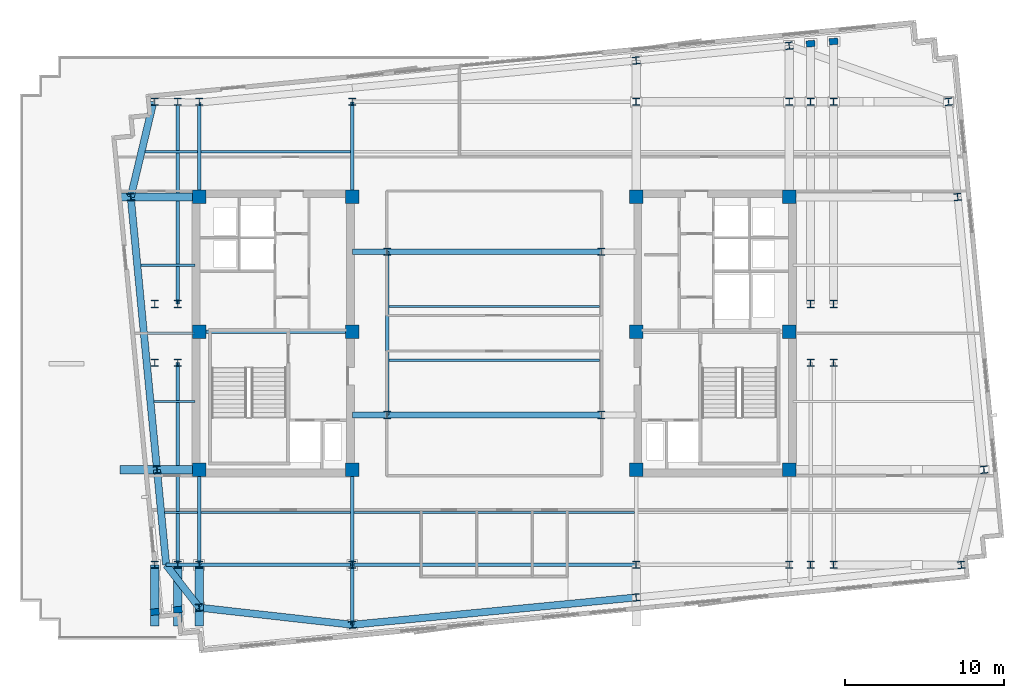
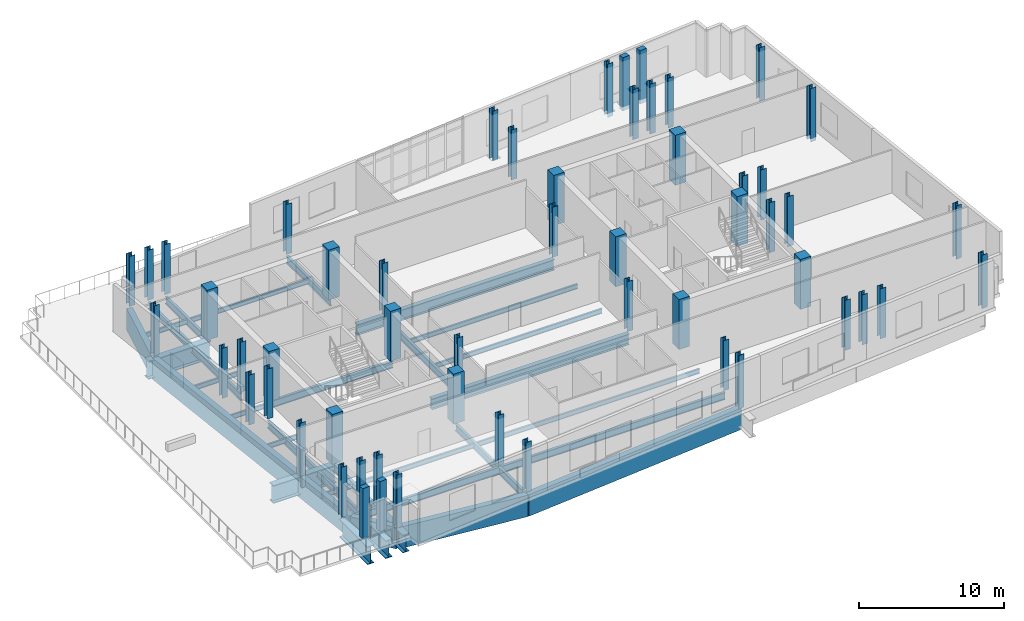
# One storey, part 1 of 11: 55 columns, 37 beams.
"""IFC4 building model written with IfcOpenShell, lengths in metres."""

from ifc_helpers import new_model, si_unit, direction, frame, origin, origin_2d, place, context, subcontext, project, spatial, rectangle, i_section, extrude, material, material_profile, profile_set, type_object, element, save


model = new_model("IFC4")

# Units and contexts
model_context = context("Model", 3, precision=1e-05, world=origin(), true_north=direction((0.0, 1.0)))
body_context = subcontext(model_context, "Body", "Model", "MODEL_VIEW")
ifc_project = project(units=[si_unit("LENGTHUNIT", "METRE"), si_unit("AREAUNIT", "SQUARE_METRE"), si_unit("VOLUMEUNIT", "CUBIC_METRE"), si_unit("PLANEANGLEUNIT", "RADIAN"), si_unit("MASSUNIT", "GRAM", prefix="KILO")], contexts=[model_context])

# Site, building, storey
site_placement = place(None, origin())
site = spatial("IfcSite", under=ifc_project, at=site_placement, CompositionType="ELEMENT")
building_placement = place(site_placement, origin())
building = spatial("IfcBuilding", under=site, at=building_placement, Name="Velakula Bourse", CompositionType="ELEMENT")
storey_placement = place(building_placement, frame((0.0, 0.0, 247.5)))
storey = spatial("IfcBuildingStorey", under=building, at=storey_placement, Name="L67", CompositionType="ELEMENT", Elevation=247.5)

# Columns
ifc_material_1 = material(Name="Concrete M50 (fck 50 MPa)", Category="concrete")
ifc_material_profile_1 = material_profile(ifc_material_1, rectangle(XDim=0.85009765625, YDim=0.85009765625, at=origin_2d()), Name="Concrete M50 (fck 50 MPa)")
ifc_profile_set_1 = profile_set([ifc_material_profile_1], Name="Concrete M50 (fck 50 MPa)")
column_type_1 = type_object("IfcColumnType", Name="COL-RC-850", PredefinedType="COLUMN", material=ifc_profile_set_1)
for number, where, z_axis, x_axis, name in (
    (1, (-8.949951171875, -8.60009765625, 0.0), (0.0, 0.0, 1.0), (1.0, 0.0, 0.0), "L67 Core Boundary Column 01"),
    (2, (-8.949951171875, 0.10009765625, 0.0), (0.0, 0.0, 1.0), (1.0, 0.0, 0.0), "L67 Core Boundary Column 02"),
    (3, (-8.949951171875, 8.60009765625, 0.0), (0.0, 0.0, 1.0), (1.0, 0.0, 0.0), "L67 Core Boundary Column 03"),
    (4, (-18.60009765625, -8.60009765625, 0.0), (0.0, 0.0, 1.0), (1.0, 0.0, 0.0), "L67 Core Boundary Column 04"),
    (5, (-18.60009765625, 0.10009765625, 0.0), (0.0, 0.0, 1.0), (1.0, 0.0, 0.0), "L67 Core Boundary Column 05"),
    (6, (-18.60009765625, 8.60009765625, 0.0), (0.0, 0.0, 1.0), (1.0, 0.0, 0.0), "L67 Core Boundary Column 06"),
    (7, (8.949951171875, -8.60009765625, 0.0), (0.0, 0.0, 1.0), (1.0, 0.0, 0.0), "L67 Core Boundary Column 07"),
    (8, (8.949951171875, 0.10009765625, 0.0), (0.0, 0.0, 1.0), (1.0, 0.0, 0.0), "L67 Core Boundary Column 08"),
    (9, (8.949951171875, 8.60009765625, 0.0), (0.0, 0.0, 1.0), (1.0, 0.0, 0.0), "L67 Core Boundary Column 09"),
    (10, (18.60009765625, -8.60009765625, 0.0), (0.0, 0.0, 1.0), (1.0, 0.0, 0.0), "L67 Core Boundary Column 10"),
    (11, (18.60009765625, 0.10009765625, 0.0), (0.0, 0.0, 1.0), (1.0, 0.0, 0.0), "L67 Core Boundary Column 11"),
    (12, (18.60009765625, 8.60009765625, 0.0), (0.0, 0.0, 1.0), (1.0, 0.0, 0.0), "L67 Core Boundary Column 12"),
):
    element("IfcColumn", number, at=place(storey_placement, frame(where, z_axis=z_axis, x_axis=x_axis)), inside=storey, type_object=column_type_1, Name=name, PredefinedType="COLUMN", context=body_context, shape_type="SweptSolid", body=[
        extrude(rectangle(XDim=0.85009765625, YDim=0.85009765625, at=origin_2d()), origin(), (0.0, 0.0, 1.0), 4.199951171875),
    ])
ifc_material_2 = material(Name="Steel IS 2062 Grade 350 (E350)", Category="steel")
ifc_material_profile_2 = material_profile(ifc_material_2, i_section(OverallWidth=0.449951171875, OverallDepth=0.449951171875, WebThickness=0.02197265625, FlangeThickness=0.031982421875, at=origin_2d()), Name="Steel IS 2062 Grade 350 (E350)")
ifc_profile_set_2 = profile_set([ifc_material_profile_2], Name="Steel IS 2062 Grade 350 (E350)")
column_type_2 = type_object("IfcColumnType", Name="COL-STL-450", PredefinedType="COLUMN", material=ifc_profile_set_2)
for number, where, z_axis, x_axis, name in (
    (13, (-6.75, -5.14990234375, 0.0), (0.0, 0.0, 1.0), (1.0, 0.0, 0.0), "L67 Central Spine Column 01"),
    (14, (-6.75, 5.14990234375, 0.0), (0.0, 0.0, 1.0), (1.0, 0.0, 0.0), "L67 Central Spine Column 02"),
    (15, (6.75, -5.14990234375, 0.0), (0.0, 0.0, 1.0), (1.0, 0.0, 0.0), "L67 Central Spine Column 03"),
    (16, (6.75, 5.14990234375, 0.0), (0.0, 0.0, 1.0), (1.0, 0.0, 0.0), "L67 Central Spine Column 04"),
    (17, (-21.39990234375, -14.60009765625, 0.0), (0.0, 0.0, 1.0), (1.0, 0.0, 0.0), "L67 Tower Fulcrum Column 01"),
    (18, (-21.39990234375, 14.60009765625, 0.0), (0.0, 0.0, 1.0), (1.0, 0.0, 0.0), "L67 Tower Fulcrum Column 02"),
    (19, (-19.949951171875, -14.60009765625, 0.0), (0.0, 0.0, 1.0), (1.0, 0.0, 0.0), "L67 Tower Fulcrum Column 03"),
    (20, (-19.949951171875, 14.60009765625, 0.0), (0.0, 0.0, 1.0), (1.0, 0.0, 0.0), "L67 Tower Fulcrum Column 04"),
    (21, (-18.60009765625, -14.60009765625, 0.0), (0.0, 0.0, 1.0), (1.0, 0.0, 0.0), "L67 Tower Fulcrum Column 05"),
    (22, (-18.60009765625, 14.60009765625, 0.0), (0.0, 0.0, 1.0), (1.0, 0.0, 0.0), "L67 Tower Fulcrum Column 06"),
    (23, (-8.949951171875, -14.60009765625, 0.0), (0.0, 0.0, 1.0), (1.0, 0.0, 0.0), "L67 Tower Fulcrum Column 07"),
    (24, (-8.949951171875, 14.60009765625, 0.0), (0.0, 0.0, 1.0), (1.0, 0.0, 0.0), "L67 Tower Fulcrum Column 08"),
    (25, (8.949951171875, -14.60009765625, 0.0), (0.0, 0.0, 1.0), (1.0, 0.0, 0.0), "L67 Tower Fulcrum Column 09"),
    (26, (8.949951171875, 14.60009765625, 0.0), (0.0, 0.0, 1.0), (1.0, 0.0, 0.0), "L67 Tower Fulcrum Column 10"),
    (27, (18.60009765625, -14.60009765625, 0.0), (0.0, 0.0, 1.0), (1.0, 0.0, 0.0), "L67 Tower Fulcrum Column 11"),
    (28, (18.60009765625, 14.60009765625, 0.0), (0.0, 0.0, 1.0), (1.0, 0.0, 0.0), "L67 Tower Fulcrum Column 12"),
    (29, (19.949951171875, -14.60009765625, 0.0), (0.0, 0.0, 1.0), (1.0, 0.0, 0.0), "L67 Tower Fulcrum Column 13"),
    (30, (19.949951171875, 14.60009765625, 0.0), (0.0, 0.0, 1.0), (1.0, 0.0, 0.0), "L67 Tower Fulcrum Column 14"),
    (31, (21.39990234375, -14.60009765625, 0.0), (0.0, 0.0, 1.0), (1.0, 0.0, 0.0), "L67 Tower Fulcrum Column 15"),
    (32, (21.39990234375, 14.60009765625, 0.0), (0.0, 0.0, 1.0), (1.0, 0.0, 0.0), "L67 Tower Fulcrum Column 16"),
    (33, (-21.39990234375, -1.85009765625, 0.0), (0.0, 0.0, 1.0), (1.0, 0.0, 0.0), "L67 Tower Fulcrum Column 17"),
    (34, (-21.39990234375, 1.85009765625, 0.0), (0.0, 0.0, 1.0), (1.0, 0.0, 0.0), "L67 Tower Fulcrum Column 18"),
    (35, (-19.949951171875, -1.85009765625, 0.0), (0.0, 0.0, 1.0), (1.0, 0.0, 0.0), "L67 Tower Fulcrum Column 19"),
    (36, (-19.949951171875, 1.85009765625, 0.0), (0.0, 0.0, 1.0), (1.0, 0.0, 0.0), "L67 Tower Fulcrum Column 20"),
    (37, (19.949951171875, -1.85009765625, 0.0), (0.0, 0.0, 1.0), (1.0, 0.0, 0.0), "L67 Tower Fulcrum Column 21"),
    (38, (19.949951171875, 1.85009765625, 0.0), (0.0, 0.0, 1.0), (1.0, 0.0, 0.0), "L67 Tower Fulcrum Column 22"),
    (39, (21.39990234375, -1.85009765625, 0.0), (0.0, 0.0, 1.0), (1.0, 0.0, 0.0), "L67 Tower Fulcrum Column 23"),
    (40, (21.39990234375, 1.85009765625, 0.0), (0.0, 0.0, 1.0), (1.0, 0.0, 0.0), "L67 Tower Fulcrum Column 24"),
):
    element("IfcColumn", number, at=place(storey_placement, frame(where, z_axis=z_axis, x_axis=x_axis)), inside=storey, type_object=column_type_2, Name=name, PredefinedType="COLUMN", context=body_context, shape_type="SweptSolid", body=[
        extrude(i_section(OverallWidth=0.449951171875, OverallDepth=0.449951171875, WebThickness=0.02197265625, FlangeThickness=0.031982421875, at=origin_2d()), origin(), (0.0, 0.0, 1.0), 4.199951171875),
    ])
column_1_placement = place(storey_placement, frame((-18.60009765625, -17.294921875, -0.280029296875), z_axis=(0.0, 0.0, 1.0), x_axis=(0.995396198367, 0.09584575252, 0.0)))
element("IfcColumn", 41, at=column_1_placement, inside=storey, type_object=column_type_2, Name="L67 Block B6 Perimeter Column S1", PredefinedType="COLUMN", context=body_context, shape_type="SweptSolid", body=[
    extrude(i_section(OverallWidth=0.449951171875, OverallDepth=0.449951171875, WebThickness=0.02197265625, FlangeThickness=0.031982421875, at=origin_2d()), origin(), (0.0, 0.0, 1.0), 4.47998046875),
])
column_2_placement = place(storey_placement, frame((-8.949951171875, -18.375, 0.0), z_axis=(0.0, 0.0, 1.0), x_axis=(0.995396198367, 0.09584575252, 0.0)))
element("IfcColumn", 42, at=column_2_placement, inside=storey, type_object=column_type_2, Name="L67 Block B6 Perimeter Column S2", PredefinedType="COLUMN", context=body_context, shape_type="SweptSolid", body=[
    extrude(i_section(OverallWidth=0.449951171875, OverallDepth=0.449951171875, WebThickness=0.02197265625, FlangeThickness=0.031982421875, at=origin_2d()), origin(), (0.0, 0.0, 1.0), 4.199951171875),
])
column_3_placement = place(storey_placement, frame((8.949951171875, -16.6513671875, -0.280029296875), z_axis=(0.0, 0.0, 1.0), x_axis=(0.995396198367, 0.09584575252, 0.0)))
element("IfcColumn", 43, at=column_3_placement, inside=storey, type_object=column_type_2, Name="L67 Block B6 Perimeter Column S3", PredefinedType="COLUMN", context=body_context, shape_type="SweptSolid", body=[
    extrude(i_section(OverallWidth=0.449951171875, OverallDepth=0.449951171875, WebThickness=0.02197265625, FlangeThickness=0.031982421875, at=origin_2d()), origin(), (0.0, 0.0, 1.0), 4.47998046875),
])
column_4_placement = place(storey_placement, frame((8.949951171875, 17.20458984375, 0.0), z_axis=(0.0, 0.0, 1.0), x_axis=(0.995396198367, 0.09584575252, 0.0)))
element("IfcColumn", 44, at=column_4_placement, inside=storey, type_object=column_type_2, Name="L67 Block B6 Perimeter Column N3", PredefinedType="COLUMN", context=body_context, shape_type="SweptSolid", body=[
    extrude(i_section(OverallWidth=0.449951171875, OverallDepth=0.449951171875, WebThickness=0.02197265625, FlangeThickness=0.031982421875, at=origin_2d()), origin(), (0.0, 0.0, 1.0), 4.199951171875),
])
for number, where, z_axis, x_axis, name in (
    (45, (18.60009765625, 18.1337890625, -0.280029296875), (0.0, 0.0, 1.0), (0.995396198367, 0.09584575252, 0.0), "L67 Block B6 Perimeter Column N4"),
    (46, (-21.26123046875, -8.60009765625, -0.280029296875), (0.0, 0.0, 1.0), (0.995396198367, 0.09584575252, 0.0), "L67 Block B6 Perimeter Column W2"),
):
    element("IfcColumn", number, at=place(storey_placement, frame(where, z_axis=z_axis, x_axis=x_axis)), inside=storey, type_object=column_type_2, Name=name, PredefinedType="COLUMN", context=body_context, shape_type="SweptSolid", body=[
        extrude(i_section(OverallWidth=0.449951171875, OverallDepth=0.449951171875, WebThickness=0.02197265625, FlangeThickness=0.031982421875, at=origin_2d()), origin(), (0.0, 0.0, 1.0), 4.47998046875),
    ])
column_5_placement = place(storey_placement, frame((-22.91748046875, 8.60009765625, 0.0), z_axis=(0.0, 0.0, 1.0), x_axis=(0.995396198367, 0.09584575252, 0.0)))
element("IfcColumn", 47, at=column_5_placement, inside=storey, type_object=column_type_2, Name="L67 Block B6 Perimeter Column W3", PredefinedType="COLUMN", context=body_context, shape_type="SweptSolid", body=[
    extrude(i_section(OverallWidth=0.449951171875, OverallDepth=0.449951171875, WebThickness=0.02197265625, FlangeThickness=0.031982421875, at=origin_2d()), origin(), (0.0, 0.0, 1.0), 4.199951171875),
])
for number, where, z_axis, x_axis, name in (
    (48, (29.447265625, -14.60009765625, -0.280029296875), (0.0, 0.0, 1.0), (0.995396198367, 0.09584575252, 0.0), "L67 Block B6 Perimeter Column E1"),
    (49, (30.87890625, -8.60009765625, -0.280029296875), (0.0, 0.0, 1.0), (0.995396198367, 0.09584575252, 0.0), "L67 Block B6 Perimeter Column E2"),
    (50, (29.22265625, 8.60009765625, -0.280029296875), (0.0, 0.0, 1.0), (0.995396198367, 0.09584575252, 0.0), "L67 Block B6 Perimeter Column E3"),
    (51, (28.64501953125, 14.60009765625, -0.280029296875), (0.0, 0.0, 1.0), (0.995396198367, 0.09584575252, 0.0), "L67 Block B6 Perimeter Column E4"),
):
    element("IfcColumn", number, at=place(storey_placement, frame(where, z_axis=z_axis, x_axis=x_axis)), inside=storey, type_object=column_type_2, Name=name, PredefinedType="COLUMN", context=body_context, shape_type="SweptSolid", body=[
        extrude(i_section(OverallWidth=0.449951171875, OverallDepth=0.449951171875, WebThickness=0.02197265625, FlangeThickness=0.031982421875, at=origin_2d()), origin(), (0.0, 0.0, 1.0), 4.47998046875),
    ])
ifc_material_3 = material(Name="Precast concrete M45 (fck 45 MPa)", Category="concrete")
ifc_material_profile_3 = material_profile(ifc_material_3, rectangle(XDim=0.550048828125, YDim=0.39990234375, at=origin_2d()), Name="Precast concrete M45 (fck 45 MPa)")
ifc_profile_set_3 = profile_set([ifc_material_profile_3], Name="Precast concrete M45 (fck 45 MPa)")
column_type_3 = type_object("IfcColumnType", Name="PIL-BRICK-550", PredefinedType="PILASTER", material=ifc_profile_set_3)
for number, where, z_axis, x_axis, name in (
    (52, (-21.39990234375, -17.564453125, 0.0), (0.0, 0.0, 1.0), (0.995396198367, 0.09584575252, 0.0), "L67 Brick Pier Pilaster 01"),
    (53, (-19.949951171875, -17.4248046875, 0.0), (0.0, 0.0, 1.0), (0.995396198367, 0.09584575252, 0.0), "L67 Brick Pier Pilaster 02"),
):
    element("IfcColumn", number, at=place(storey_placement, frame(where, z_axis=z_axis, x_axis=x_axis)), inside=storey, type_object=column_type_3, Name=name, PredefinedType="PILASTER", context=body_context, shape_type="SweptSolid", body=[
        extrude(rectangle(XDim=0.550048828125, YDim=0.39990234375, at=origin_2d()), origin(), (0.0, 0.0, 1.0), 4.199951171875),
    ])
for number, where, z_axis, x_axis, name in (
    (54, (19.949951171875, 18.263671875, -0.280029296875), (0.0, 0.0, 1.0), (0.995396198367, 0.09584575252, 0.0), "L67 Brick Pier Pilaster 07"),
    (55, (21.39990234375, 18.4033203125, -0.280029296875), (0.0, 0.0, 1.0), (0.995396198367, 0.09584575252, 0.0), "L67 Brick Pier Pilaster 08"),
):
    element("IfcColumn", number, at=place(storey_placement, frame(where, z_axis=z_axis, x_axis=x_axis)), inside=storey, type_object=column_type_3, Name=name, PredefinedType="PILASTER", context=body_context, shape_type="SweptSolid", body=[
        extrude(rectangle(XDim=0.550048828125, YDim=0.39990234375, at=origin_2d()), origin(), (0.0, 0.0, 1.0), 4.47998046875),
    ])

# Beams
ifc_material_profile_4 = material_profile(ifc_material_2, i_section(OverallWidth=0.2099609375, OverallDepth=0.60009765625, WebThickness=0.011962890625, FlangeThickness=0.020751953125, at=origin_2d()), Name="Steel IS 2062 Grade 350 (E350)")
ifc_profile_set_4 = profile_set([ifc_material_profile_4], Name="Steel IS 2062 Grade 350 (E350)")
beam_type_1 = type_object("IfcBeamType", Name="BM-GRD-600L", PredefinedType="BEAM", material=ifc_profile_set_4)
beam_1_placement = place(storey_placement, frame((-18.60009765625, 0.10009765625, -0.580078125), z_axis=(1.0, 0.0, 0.0), x_axis=(0.0, 1.0, 0.0)))
element("IfcBeam", 56, at=beam_1_placement, inside=storey, type_object=beam_type_1, Name="L67 Primary Backbone Girder CRW-M", PredefinedType="BEAM", context=body_context, shape_type="SweptSolid", body=[
    extrude(i_section(OverallWidth=0.2099609375, OverallDepth=0.60009765625, WebThickness=0.011962890625, FlangeThickness=0.020751953125, at=origin_2d()), origin(), (0.0, 0.0, 1.0), 9.650146484375),
])
beam_2_placement = place(storey_placement, frame((-6.75, -5.14990234375, -0.580078125), z_axis=(0.0, 1.0, 0.0), x_axis=(-1.0, 0.0, 0.0)))
element("IfcBeam", 57, at=beam_2_placement, inside=storey, type_object=beam_type_1, Name="L67 Primary Backbone Girder SPN-W", PredefinedType="BEAM", context=body_context, shape_type="SweptSolid", body=[
    extrude(i_section(OverallWidth=0.2099609375, OverallDepth=0.60009765625, WebThickness=0.011962890625, FlangeThickness=0.020751953125, at=origin_2d()), origin(), (0.0, 0.0, 1.0), 10.2998046875),
])
beam_3_placement = place(storey_placement, frame((-18.60009765625, -14.60009765625, -0.580078125), z_axis=(0.0, 1.0, 0.0), x_axis=(-1.0, 0.0, 0.0)))
element("IfcBeam", 58, at=beam_3_placement, inside=storey, type_object=beam_type_1, Name="L67 Fulcrum Grid Girder FLC-WS", PredefinedType="BEAM", context=body_context, shape_type="SweptSolid", body=[
    extrude(i_section(OverallWidth=0.2099609375, OverallDepth=0.60009765625, WebThickness=0.011962890625, FlangeThickness=0.020751953125, at=origin_2d()), origin(), (0.0, 0.0, 1.0), 6.0),
])
beam_4_placement = place(storey_placement, frame((-18.60009765625, 8.60009765625, -0.580078125), z_axis=(0.0, 1.0, 0.0), x_axis=(-1.0, 0.0, 0.0)))
element("IfcBeam", 59, at=beam_4_placement, inside=storey, type_object=beam_type_1, Name="L67 Fulcrum Grid Girder FLC-WN", PredefinedType="BEAM", context=body_context, shape_type="SweptSolid", body=[
    extrude(i_section(OverallWidth=0.2099609375, OverallDepth=0.60009765625, WebThickness=0.011962890625, FlangeThickness=0.020751953125, at=origin_2d()), origin(), (0.0, 0.0, 1.0), 5.95166015625),
])
for number, where, z_axis, x_axis, name in (
    (60, (-8.949951171875, -14.60009765625, -0.580078125), (0.0, 1.0, 0.0), (-1.0, 0.0, 0.0), "L67 Fulcrum Grid Girder FLC-WCS"),
    (61, (-8.949951171875, 8.60009765625, -0.580078125), (0.0, 1.0, 0.0), (-1.0, 0.0, 0.0), "L67 Fulcrum Grid Girder FLC-WCN"),
):
    element("IfcBeam", number, at=place(storey_placement, frame(where, z_axis=z_axis, x_axis=x_axis)), inside=storey, type_object=beam_type_1, Name=name, PredefinedType="BEAM", context=body_context, shape_type="SweptSolid", body=[
        extrude(i_section(OverallWidth=0.2099609375, OverallDepth=0.60009765625, WebThickness=0.011962890625, FlangeThickness=0.020751953125, at=origin_2d()), origin(), (0.0, 0.0, 1.0), 6.0),
    ])
beam_5_placement = place(storey_placement, frame((-18.60009765625, -14.60009765625, -0.580078125), z_axis=(1.0, 0.0, 0.0), x_axis=(0.0, 1.0, 0.0)))
element("IfcBeam", 62, at=beam_5_placement, inside=storey, type_object=beam_type_1, Name="L67 Fulcrum Grid Girder FLC-S1", PredefinedType="BEAM", context=body_context, shape_type="SweptSolid", body=[
    extrude(i_section(OverallWidth=0.2099609375, OverallDepth=0.60009765625, WebThickness=0.011962890625, FlangeThickness=0.020751953125, at=origin_2d()), origin(), (0.0, 0.0, 1.0), 9.650146484375),
])
beam_6_placement = place(storey_placement, frame((-8.949951171875, -14.60009765625, -0.580078125), z_axis=(1.0, 0.0, 0.0), x_axis=(0.0, 1.0, 0.0)))
element("IfcBeam", 63, at=beam_6_placement, inside=storey, type_object=beam_type_1, Name="L67 Fulcrum Grid Girder FLC-S2", PredefinedType="BEAM", context=body_context, shape_type="SweptSolid", body=[
    extrude(i_section(OverallWidth=0.2099609375, OverallDepth=0.60009765625, WebThickness=0.011962890625, FlangeThickness=0.020751953125, at=origin_2d()), origin(), (0.0, 0.0, 1.0), 17.89990234375),
])
beam_7_placement = place(storey_placement, frame((-19.949951171875, -14.60009765625, -0.580078125), z_axis=(0.0, 1.0, 0.0), x_axis=(-1.0, 0.0, 0.0)))
element("IfcBeam", 64, at=beam_7_placement, inside=storey, type_object=beam_type_1, Name="L67 Fulcrum Grid Girder FLC-PSW2", PredefinedType="BEAM", context=body_context, shape_type="SweptSolid", body=[
    extrude(i_section(OverallWidth=0.2099609375, OverallDepth=0.60009765625, WebThickness=0.011962890625, FlangeThickness=0.020751953125, at=origin_2d()), origin(), (0.0, 0.0, 1.0), 12.75),
])
beam_8_placement = place(storey_placement, frame((-19.949951171875, 1.85009765625, -0.580078125), z_axis=(0.0, 1.0, 0.0), x_axis=(-1.0, 0.0, 0.0)))
element("IfcBeam", 65, at=beam_8_placement, inside=storey, type_object=beam_type_1, Name="L67 Fulcrum Grid Girder FLC-PNW2", PredefinedType="BEAM", context=body_context, shape_type="SweptSolid", body=[
    extrude(i_section(OverallWidth=0.2099609375, OverallDepth=0.60009765625, WebThickness=0.011962890625, FlangeThickness=0.020751953125, at=origin_2d()), origin(), (0.0, 0.0, 1.0), 12.72412109375),
])
beam_9_placement = place(storey_placement, frame((-8.949951171875, -14.60009765625, -0.580078125), z_axis=(0.0, -1.0, 0.0), x_axis=(1.0, 0.0, 0.0)))
element("IfcBeam", 66, at=beam_9_placement, inside=storey, type_object=beam_type_1, Name="L67 Perimeter Tie Girder S2", PredefinedType="BEAM", context=body_context, shape_type="SweptSolid", body=[
    extrude(i_section(OverallWidth=0.2099609375, OverallDepth=0.60009765625, WebThickness=0.011962890625, FlangeThickness=0.020751953125, at=origin_2d()), origin(), (0.0, 0.0, 1.0), 3.77490234375),
])
beam_10_placement = place(storey_placement, frame((-18.60009765625, -14.60009765625, -0.580078125), z_axis=(-1.0, 0.0, 0.0), x_axis=(0.0, -1.0, 0.0)))
element("IfcBeam", 67, at=beam_10_placement, inside=storey, type_object=beam_type_1, Name="L67 Perimeter Tie Girder W1", PredefinedType="BEAM", context=body_context, shape_type="SweptSolid", body=[
    extrude(i_section(OverallWidth=0.2099609375, OverallDepth=0.60009765625, WebThickness=0.011962890625, FlangeThickness=0.020751953125, at=origin_2d()), origin(), (0.0, 0.0, 1.0), 2.08349609375),
])
ifc_material_profile_5 = material_profile(ifc_material_2, i_section(OverallWidth=0.35009765625, OverallDepth=0.89990234375, WebThickness=0.02001953125, FlangeThickness=0.031982421875, at=origin_2d()), Name="Steel IS 2062 Grade 350 (E350)")
ifc_profile_set_5 = profile_set([ifc_material_profile_5], Name="Steel IS 2062 Grade 350 (E350)")
beam_type_2 = type_object("IfcBeamType", Name="BM-LNK-900", PredefinedType="BEAM", material=ifc_profile_set_5)
beam_11_placement = place(storey_placement, frame((-8.949951171875, -5.14990234375, -0.72998046875), z_axis=(1.0, 0.0, 0.0), x_axis=(0.0, 1.0, 0.0)))
element("IfcBeam", 68, at=beam_11_placement, inside=storey, type_object=beam_type_2, Name="L67 Primary Backbone Girder LNK-S1", PredefinedType="BEAM", context=body_context, shape_type="SweptSolid", body=[
    extrude(i_section(OverallWidth=0.35009765625, OverallDepth=0.89990234375, WebThickness=0.02001953125, FlangeThickness=0.031982421875, at=origin_2d()), origin(), (0.0, 0.0, 1.0), 2.199951171875),
])
beam_12_placement = place(storey_placement, frame((-6.75, -5.14990234375, -0.72998046875), z_axis=(1.0, 0.0, 0.0), x_axis=(0.0, 1.0, 0.0)))
element("IfcBeam", 69, at=beam_12_placement, inside=storey, type_object=beam_type_2, Name="L67 Primary Backbone Girder LNK-S2", PredefinedType="BEAM", context=body_context, shape_type="SweptSolid", body=[
    extrude(i_section(OverallWidth=0.35009765625, OverallDepth=0.89990234375, WebThickness=0.02001953125, FlangeThickness=0.031982421875, at=origin_2d()), origin(), (0.0, 0.0, 1.0), 13.5),
])
beam_13_placement = place(storey_placement, frame((-8.949951171875, 5.14990234375, -0.72998046875), z_axis=(1.0, 0.0, 0.0), x_axis=(0.0, 1.0, 0.0)))
element("IfcBeam", 70, at=beam_13_placement, inside=storey, type_object=beam_type_2, Name="L67 Primary Backbone Girder LNK-N1", PredefinedType="BEAM", context=body_context, shape_type="SweptSolid", body=[
    extrude(i_section(OverallWidth=0.35009765625, OverallDepth=0.89990234375, WebThickness=0.02001953125, FlangeThickness=0.031982421875, at=origin_2d()), origin(), (0.0, 0.0, 1.0), 2.199951171875),
])
beam_14_placement = place(storey_placement, frame((-6.75, 5.14990234375, -0.72998046875), z_axis=(1.0, 0.0, 0.0), x_axis=(0.0, 1.0, 0.0)))
element("IfcBeam", 71, at=beam_14_placement, inside=storey, type_object=beam_type_2, Name="L67 Primary Backbone Girder LNK-N2", PredefinedType="BEAM", context=body_context, shape_type="SweptSolid", body=[
    extrude(i_section(OverallWidth=0.35009765625, OverallDepth=0.89990234375, WebThickness=0.02001953125, FlangeThickness=0.031982421875, at=origin_2d()), origin(), (0.0, 0.0, 1.0), 13.5),
])
ifc_material_profile_6 = material_profile(ifc_material_2, i_section(OverallWidth=0.139892578125, OverallDepth=0.39990234375, WebThickness=0.0087890625, FlangeThickness=0.01611328125, at=origin_2d()), Name="Steel IS 2062 Grade 350 (E350)")
ifc_profile_set_6 = profile_set([ifc_material_profile_6], Name="Steel IS 2062 Grade 350 (E350)")
beam_type_3 = type_object("IfcBeamType", Name="JST-TWR-400", PredefinedType="JOIST", material=ifc_profile_set_6)
beam_15_placement = place(storey_placement, frame((-20.775146484375, -11.300048828125, -0.47998046875), z_axis=(1.0, 0.0, 0.0), x_axis=(0.0, 1.0, 0.0)))
element("IfcBeam", 72, at=beam_15_placement, inside=storey, type_object=beam_type_3, Name="L67 Trading Floor Composite Joist 03", PredefinedType="JOIST", context=body_context, shape_type="SweptSolid", body=[
    extrude(i_section(OverallWidth=0.139892578125, OverallDepth=0.39990234375, WebThickness=0.0087890625, FlangeThickness=0.01611328125, at=origin_2d()), origin(), (0.0, 0.0, 1.0), 2.070068359375),
])
beam_16_placement = place(storey_placement, frame((-18.4951171875, -11.300048828125, -0.47998046875), z_axis=(1.0, 0.0, 0.0), x_axis=(0.0, 1.0, 0.0)))
element("IfcBeam", 73, at=beam_16_placement, inside=storey, type_object=beam_type_3, Name="L67 Trading Floor Composite Joist 04", PredefinedType="JOIST", context=body_context, shape_type="SweptSolid", body=[
    extrude(i_section(OverallWidth=0.139892578125, OverallDepth=0.39990234375, WebThickness=0.0087890625, FlangeThickness=0.01611328125, at=origin_2d()), origin(), (0.0, 0.0, 1.0), 9.440185546875),
])
beam_17_placement = place(storey_placement, frame((-8.844970703125, -11.300048828125, -0.47998046875), z_axis=(1.0, 0.0, 0.0), x_axis=(0.0, 1.0, 0.0)))
element("IfcBeam", 74, at=beam_17_placement, inside=storey, type_object=beam_type_3, Name="L67 Trading Floor Composite Joist 05", PredefinedType="JOIST", context=body_context, shape_type="SweptSolid", body=[
    extrude(i_section(OverallWidth=0.139892578125, OverallDepth=0.39990234375, WebThickness=0.0087890625, FlangeThickness=0.01611328125, at=origin_2d()), origin(), (0.0, 0.0, 1.0), 17.68994140625),
])
beam_18_placement = place(storey_placement, frame((-22.006103515625, 11.449951171875, -0.47998046875), z_axis=(1.0, 0.0, 0.0), x_axis=(0.0, 1.0, 0.0)))
element("IfcBeam", 75, at=beam_18_placement, inside=storey, type_object=beam_type_3, Name="L67 Trading Floor Composite Joist 08", PredefinedType="JOIST", context=body_context, shape_type="SweptSolid", body=[
    extrude(i_section(OverallWidth=0.139892578125, OverallDepth=0.39990234375, WebThickness=0.0087890625, FlangeThickness=0.01611328125, at=origin_2d()), origin(), (0.0, 0.0, 1.0), 3.301025390625),
])
beam_19_placement = place(storey_placement, frame((-18.4951171875, 11.449951171875, -0.47998046875), z_axis=(1.0, 0.0, 0.0), x_axis=(0.0, 1.0, 0.0)))
element("IfcBeam", 76, at=beam_19_placement, inside=storey, type_object=beam_type_3, Name="L67 Trading Floor Composite Joist 09", PredefinedType="JOIST", context=body_context, shape_type="SweptSolid", body=[
    extrude(i_section(OverallWidth=0.139892578125, OverallDepth=0.39990234375, WebThickness=0.0087890625, FlangeThickness=0.01611328125, at=origin_2d()), origin(), (0.0, 0.0, 1.0), 9.440185546875),
])
for number, where, z_axis, x_axis, name in (
    (77, (-6.64501953125, -1.699951171875, -0.47998046875), (1.0, 0.0, 0.0), (0.0, 1.0, 0.0), "L67 Trading Floor Composite Joist 14"),
    (78, (-6.64501953125, 1.699951171875, -0.47998046875), (1.0, 0.0, 0.0), (0.0, 1.0, 0.0), "L67 Trading Floor Composite Joist 15"),
):
    element("IfcBeam", number, at=place(storey_placement, frame(where, z_axis=z_axis, x_axis=x_axis)), inside=storey, type_object=beam_type_3, Name=name, PredefinedType="JOIST", context=body_context, shape_type="SweptSolid", body=[
        extrude(i_section(OverallWidth=0.139892578125, OverallDepth=0.39990234375, WebThickness=0.0087890625, FlangeThickness=0.01611328125, at=origin_2d()), origin(), (0.0, 0.0, 1.0), 13.2900390625),
    ])
beam_20_placement = place(storey_placement, frame((-21.44921875, -4.300048828125, -0.47998046875), z_axis=(1.0, 0.0, 0.0), x_axis=(0.0, 1.0, 0.0)))
element("IfcBeam", 79, at=beam_20_placement, inside=storey, type_object=beam_type_3, Name="L67 Trading Floor Composite Joist 16", PredefinedType="JOIST", context=body_context, shape_type="SweptSolid", body=[
    extrude(i_section(OverallWidth=0.139892578125, OverallDepth=0.39990234375, WebThickness=0.0087890625, FlangeThickness=0.01611328125, at=origin_2d()), origin(), (0.0, 0.0, 1.0), 2.59912109375),
])
beam_21_placement = place(storey_placement, frame((-21.86328125, 0.0, -0.47998046875), z_axis=(1.0, 0.0, 0.0), x_axis=(0.0, 1.0, 0.0)))
element("IfcBeam", 80, at=beam_21_placement, inside=storey, type_object=beam_type_3, Name="L67 Trading Floor Composite Joist 18", PredefinedType="JOIST", context=body_context, shape_type="SweptSolid", body=[
    extrude(i_section(OverallWidth=0.139892578125, OverallDepth=0.39990234375, WebThickness=0.0087890625, FlangeThickness=0.01611328125, at=origin_2d()), origin(), (0.0, 0.0, 1.0), 3.01318359375),
])
beam_22_placement = place(storey_placement, frame((-22.27734375, 4.300048828125, -0.47998046875), z_axis=(1.0, 0.0, 0.0), x_axis=(0.0, 1.0, 0.0)))
element("IfcBeam", 81, at=beam_22_placement, inside=storey, type_object=beam_type_3, Name="L67 Trading Floor Composite Joist 20", PredefinedType="JOIST", context=body_context, shape_type="SweptSolid", body=[
    extrude(i_section(OverallWidth=0.139892578125, OverallDepth=0.39990234375, WebThickness=0.0087890625, FlangeThickness=0.01611328125, at=origin_2d()), origin(), (0.0, 0.0, 1.0), 3.42724609375),
])
ifc_material_profile_7 = material_profile(ifc_material_1, rectangle(XDim=0.449951171875, YDim=1.800048828125, at=origin_2d()), Name="Concrete M50 (fck 50 MPa)")
ifc_profile_set_7 = profile_set([ifc_material_profile_7], Name="Concrete M50 (fck 50 MPa)")
beam_type_4 = type_object("IfcBeamType", Name="SPN-TRF-1800", PredefinedType="SPANDREL", material=ifc_profile_set_7)
beam_23_placement = place(storey_placement, frame((-18.60009765625, -17.294921875, -1.179931640625), z_axis=(0.993794803874, -0.111228988093, 0.0), x_axis=(0.111228988093, 0.993794803874, 0.0)))
element("IfcBeam", 82, at=beam_23_placement, inside=storey, type_object=beam_type_4, Name="L67 Brick-Faced Precast Spandrel S1-S2", PredefinedType="SPANDREL", context=body_context, shape_type="SweptSolid", body=[
    extrude(rectangle(XDim=0.449951171875, YDim=1.800048828125, at=origin_2d()), origin(), (0.0, 0.0, 1.0), 9.71044921875),
])
beam_24_placement = place(storey_placement, frame((-8.949951171875, -18.375, -1.179931640625), z_axis=(0.995395836254, 0.095849513134, 0.0), x_axis=(-0.095849513134, 0.995395836254, 0.0)))
element("IfcBeam", 83, at=beam_24_placement, inside=storey, type_object=beam_type_4, Name="L67 Brick-Faced Precast Spandrel S2-S3", PredefinedType="SPANDREL", context=body_context, shape_type="SweptSolid", body=[
    extrude(rectangle(XDim=0.449951171875, YDim=1.800048828125, at=origin_2d()), origin(), (0.0, 0.0, 1.0), 17.982666015625),
])
beam_25_placement = place(storey_placement, frame((-20.68359375, -14.60009765625, -1.179931640625), z_axis=(-0.095829714309, 0.995397742541, 0.0), x_axis=(-0.995397742541, -0.095829714309, 0.0)))
element("IfcBeam", 84, at=beam_25_placement, inside=storey, type_object=beam_type_4, Name="L67 Brick-Faced Precast Spandrel W1-W2", PredefinedType="SPANDREL", context=body_context, shape_type="SweptSolid", body=[
    extrude(rectangle(XDim=0.449951171875, YDim=1.800048828125, at=origin_2d()), origin(), (0.0, 0.0, 1.0), 6.02783203125),
])
beam_26_placement = place(storey_placement, frame((-21.26123046875, -8.60009765625, -1.179931640625), z_axis=(-0.095849167925, 0.995395869495, 0.0), x_axis=(-0.995395869495, -0.095849167925, 0.0)))
element("IfcBeam", 85, at=beam_26_placement, inside=storey, type_object=beam_type_4, Name="L67 Brick-Faced Precast Spandrel W2-W3", PredefinedType="SPANDREL", context=body_context, shape_type="SweptSolid", body=[
    extrude(rectangle(XDim=0.449951171875, YDim=1.800048828125, at=origin_2d()), origin(), (0.0, 0.0, 1.0), 17.27978515625),
])
beam_27_placement = place(storey_placement, frame((-22.91748046875, 8.60009765625, -1.179931640625), z_axis=(0.232091371601, 0.972693988482, 0.0), x_axis=(-0.972693988482, 0.232091371601, 0.0)))
element("IfcBeam", 86, at=beam_27_placement, inside=storey, type_object=beam_type_4, Name="L67 Brick-Faced Precast Spandrel W3-W4", PredefinedType="SPANDREL", context=body_context, shape_type="SweptSolid", body=[
    extrude(rectangle(XDim=0.449951171875, YDim=1.800048828125, at=origin_2d()), origin(), (0.0, 0.0, 1.0), 6.16845703125),
])
beam_28_placement = place(storey_placement, frame((-20.68359375, -14.60009765625, -1.179931640625), z_axis=(0.61165554427, -0.791124197053, 0.0), x_axis=(0.791124197053, 0.61165554427, 0.0)))
element("IfcBeam", 87, at=beam_28_placement, inside=storey, type_object=beam_type_4, Name="L67 Brick-Faced Precast Spandrel W1-S1", PredefinedType="SPANDREL", context=body_context, shape_type="SweptSolid", body=[
    extrude(rectangle(XDim=0.449951171875, YDim=1.800048828125, at=origin_2d()), origin(), (0.0, 0.0, 1.0), 3.40625),
])
ifc_material_4 = material(Name="Steel IS 2062 Grade 450 (E450)", Category="steel")
ifc_material_profile_8 = material_profile(ifc_material_4, i_section(OverallWidth=0.52001953125, OverallDepth=1.5, WebThickness=0.030029296875, FlangeThickness=0.048095703125, at=origin_2d()), Name="Steel IS 2062 Grade 450 (E450)")
ifc_profile_set_8 = profile_set([ifc_material_profile_8], Name="Steel IS 2062 Grade 450 (E450)")
beam_type_5 = type_object("IfcBeamType", Name="TB-CANT-1500", PredefinedType="BEAM", material=ifc_profile_set_8)
beam_29_placement = place(storey_placement, frame((-18.60009765625, -18.449951171875, -1.030029296875), z_axis=(0.0, 1.0, 0.0), x_axis=(-1.0, 0.0, 0.0)))
element("IfcBeam", 88, at=beam_29_placement, inside=storey, type_object=beam_type_5, Name="L67 Block B6 Transfer Girder S1", PredefinedType="BEAM", context=body_context, shape_type="SweptSolid", body=[
    extrude(i_section(OverallWidth=0.52001953125, OverallDepth=1.5, WebThickness=0.030029296875, FlangeThickness=0.048095703125, at=origin_2d()), origin(), (0.0, 0.0, 1.0), 3.849853515625),
])
for number, where, z_axis, x_axis, name in (
    (89, (-23.60009765625, -8.60009765625, -1.030029296875), (1.0, 0.0, 0.0), (0.0, 1.0, 0.0), "L67 Block B6 Transfer Girder W2"),
    (90, (-23.60009765625, 8.60009765625, -1.030029296875), (1.0, 0.0, 0.0), (0.0, 1.0, 0.0), "L67 Block B6 Transfer Girder W3"),
):
    element("IfcBeam", number, at=place(storey_placement, frame(where, z_axis=z_axis, x_axis=x_axis)), inside=storey, type_object=beam_type_5, Name=name, PredefinedType="BEAM", context=body_context, shape_type="SweptSolid", body=[
        extrude(i_section(OverallWidth=0.52001953125, OverallDepth=1.5, WebThickness=0.030029296875, FlangeThickness=0.048095703125, at=origin_2d()), origin(), (0.0, 0.0, 1.0), 5.0),
    ])
for number, where, z_axis, x_axis, name in (
    (91, (-21.39990234375, -18.449951171875, -1.030029296875), (0.0, 1.0, 0.0), (-1.0, 0.0, 0.0), "L67 Block B6 Transfer Girder P01"),
    (92, (-19.949951171875, -18.449951171875, -1.030029296875), (0.0, 1.0, 0.0), (-1.0, 0.0, 0.0), "L67 Block B6 Transfer Girder P02"),
):
    element("IfcBeam", number, at=place(storey_placement, frame(where, z_axis=z_axis, x_axis=x_axis)), inside=storey, type_object=beam_type_5, Name=name, PredefinedType="BEAM", context=body_context, shape_type="SweptSolid", body=[
        extrude(i_section(OverallWidth=0.52001953125, OverallDepth=1.5, WebThickness=0.030029296875, FlangeThickness=0.048095703125, at=origin_2d()), origin(), (0.0, 0.0, 1.0), 3.849853515625),
    ])

save(model, "model.ifc")
